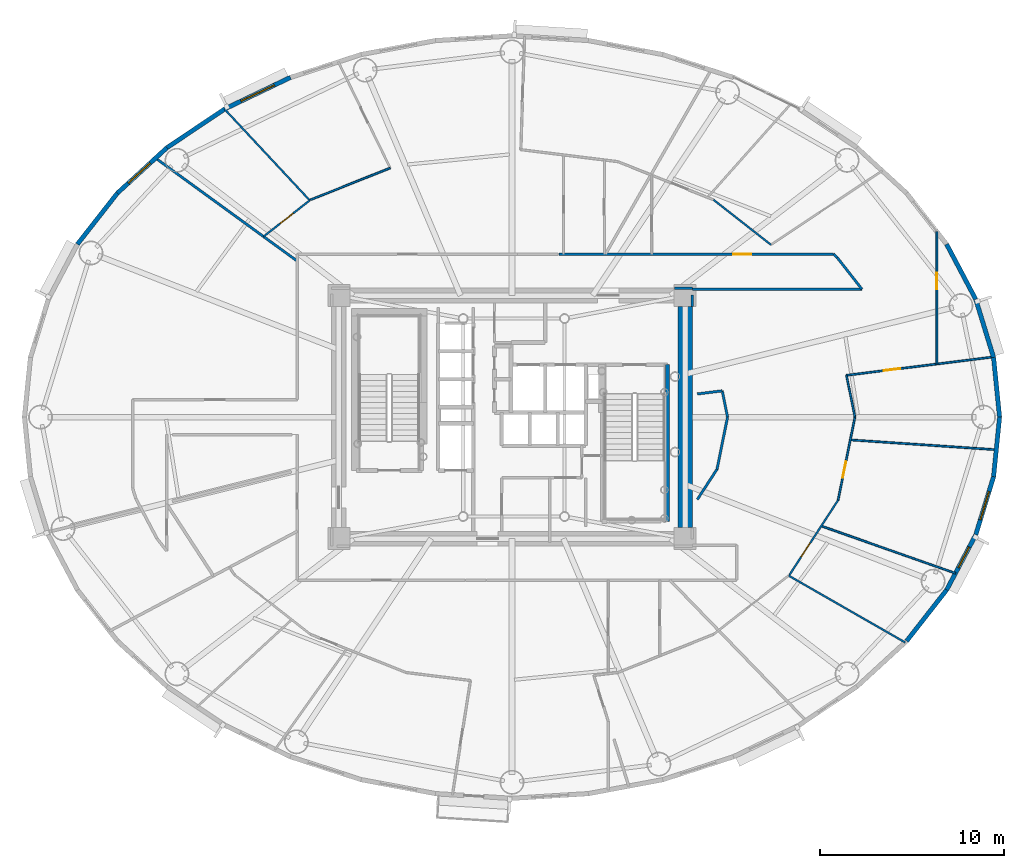
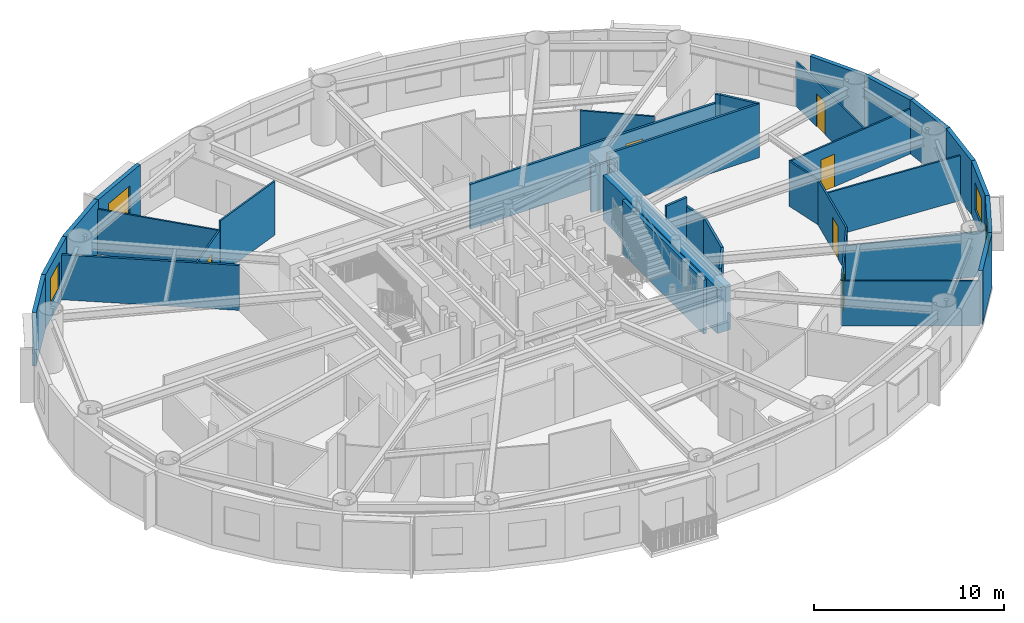
# One storey, part 9 of 17: 36 walls, 6 doors, 4 windows, 10 openings.
"""IFC4 building model written with IfcOpenShell, lengths in metres."""

from ifc_helpers import new_model, si_unit, direction, frame, frame_2d, origin, origin_2d, place, context, subcontext, project, spatial, rectangle, extrude, source, transform, mapped, material, layer, layer_set, type_object, element, fill, save


model = new_model("IFC4")

# Units and contexts
model_context = context("Model", 3, precision=1e-05, world=origin(), true_north=direction((0.0, 1.0)))
body_context = subcontext(model_context, "Body", "Model", "MODEL_VIEW")
ifc_project = project(units=[si_unit("LENGTHUNIT", "METRE"), si_unit("AREAUNIT", "SQUARE_METRE"), si_unit("VOLUMEUNIT", "CUBIC_METRE"), si_unit("PLANEANGLEUNIT", "RADIAN"), si_unit("MASSUNIT", "GRAM", prefix="KILO")], contexts=[model_context])

# Site, building, storey
site_placement = place(None, origin())
site = spatial("IfcSite", under=ifc_project, at=site_placement, CompositionType="ELEMENT")
building_placement = place(site_placement, origin())
building = spatial("IfcBuilding", under=site, at=building_placement, Name="Linh Dai School and Residence Tower", CompositionType="ELEMENT")
storey_placement = place(building_placement, frame((0.0, 0.0, 201.14990234375)))
storey = spatial("IfcBuildingStorey", under=building, at=storey_placement, Name="L49", CompositionType="ELEMENT", Elevation=201.14990234375)

# Walls
ifc_material_1 = material(Name="Precast Concrete B45 (C35/45)", Category="concrete")
ifc_layer_1 = layer(ifc_material_1, 0.239990234375)
ifc_layer_set_1 = layer_set([ifc_layer_1], Name="Precast Concrete B45 (C35/45)")
wall_type_1 = type_object("IfcWallType", Name="EW-TC-240", PredefinedType="SOLIDWALL", material=ifc_layer_set_1)
wall_1_placement = place(storey_placement, frame((62.14990234375, 30.233642578125, 0.0), z_axis=(0.0, 0.0, 1.0), x_axis=(0.100061534614, -0.994981250723, 0.0)))
element("IfcWall", 1, at=wall_1_placement, inside=storey, type_object=wall_type_1, Name="L49 Terracotta Exterior Wall 01", PredefinedType="SOLIDWALL", context=body_context, shape_type="SweptSolid", body=[
    extrude(rectangle(XDim=3.25, YDim=0.239990234375, at=frame_2d((1.625, 0.0))), origin(), (0.0, 0.0, 1.0), 3.4501953125),
])
wall_2_placement = place(storey_placement, frame((61.1826171875, 33.388916015625, 0.0), z_axis=(0.0, 0.0, 1.0), x_axis=(0.293097995113, -0.956082405058, 0.0)))
element("IfcWall", 2, at=wall_2_placement, inside=storey, type_object=wall_type_1, Name="L49 Terracotta Exterior Wall 02", PredefinedType="SOLIDWALL", context=body_context, shape_type="SweptSolid", body=[
    extrude(rectangle(XDim=3.30029296875, YDim=0.239990234375, at=frame_2d((1.650146484375, 0.0))), origin(), (0.0, 0.0, 1.0), 3.4501953125),
])
wall_3_placement = place(storey_placement, frame((59.595947265625, 36.388427734375, 0.0), z_axis=(0.0, 0.0, 1.0), x_axis=(0.467586874938, -0.88394712194, 0.0)))
element("IfcWall", 3, at=wall_3_placement, inside=storey, type_object=wall_type_1, Name="L49 Terracotta Exterior Wall 03", PredefinedType="SOLIDWALL", context=body_context, shape_type="SweptSolid", body=[
    extrude(rectangle(XDim=3.393310546875, YDim=0.239990234375, at=frame_2d((1.69677734375, 0.0))), origin(), (0.0, 0.0, 1.0), 3.4501953125),
])

# Wall, opening, window
wall_4_placement = place(storey_placement, frame((20.4267578125, 43.7431640625, 0.0), z_axis=(0.0, 0.0, 1.0), x_axis=(0.901564733809, 0.432644231155, 0.0)))
wall_4 = element("IfcWall", 4, at=wall_4_placement, inside=storey, type_object=wall_type_1, Name="L49 Terracotta Exterior Wall 14", PredefinedType="SOLIDWALL", context=body_context, shape_type="SweptSolid", body=[
    extrude(rectangle(XDim=3.930419921875, YDim=0.239990234375, at=frame_2d((1.96533203125, 0.0))), origin(), (0.0, 0.0, 1.0), 3.4501953125),
])
opening_1_placement = place(wall_4_placement, frame((0.960205078125, 0.0, 0.89990234375)))
opening_1 = element("IfcOpeningElement", 5, at=opening_1_placement, cuts=wall_4, Name="Opening W1", PredefinedType="OPENING", context=body_context, shape_type="SweptSolid", body=[
    extrude(rectangle(XDim=2.0, YDim=1.75, at=origin_2d()), frame((1.0, 0.1298828125, 0.875), z_axis=(0.0, -1.0, 0.0), x_axis=(1.0, 0.0, 0.0)), (0.0, 0.0, 1.0), 0.260009765625),
])
ifc_material_2 = material(Name="Double Low-E Insulated Glazing", Category="glass")
window_type_1 = type_object("IfcWindowType", Name="WN-RES-2000x1750", PartitioningType="DOUBLE_PANEL_VERTICAL", PredefinedType="WINDOW", material=ifc_material_2)
shared_shape_1 = source(origin(), body_context, "Body", "SweptSolid", [
    extrude(rectangle(XDim=2.0, YDim=1.75, at=origin_2d()), frame((1.0, 0.030029296875, 0.875), z_axis=(0.0, -1.0, 0.0), x_axis=(1.0, 0.0, 0.0)), (0.0, 0.0, 1.0), 0.06005859375),
])
window_1_placement = place(opening_1_placement, origin())
window_1 = element("IfcWindow", 6, at=window_1_placement, inside=storey, type_object=window_type_1, Name="L49 Exterior Window 14.1", OverallHeight=1.75, OverallWidth=2.0, PartitioningType="DOUBLE_PANEL_VERTICAL", PredefinedType="WINDOW", context=body_context, shape_type="MappedRepresentation", body=[
    mapped(shared_shape_1, transform((0.0, 0.0, 0.0), x_axis=(1.0, 0.0, 0.0), y_axis=(0.0, 1.0, 0.0), z_axis=(0.0, 0.0, 1.0), scale=1.0)),
])
fill(opening_1, window_1)

# Wall
wall_5_placement = place(storey_placement, frame((17.26806640625, 41.630615234375, 0.0), z_axis=(0.0, 0.0, 1.0), x_axis=(0.831228998277, 0.555930168657, 0.0)))
element("IfcWall", 7, at=wall_5_placement, inside=storey, type_object=wall_type_1, Name="L49 Terracotta Exterior Wall 15", PredefinedType="SOLIDWALL", context=body_context, shape_type="SweptSolid", body=[
    extrude(rectangle(XDim=3.800048828125, YDim=0.239990234375, at=frame_2d((1.89990234375, 0.0))), origin(), (0.0, 0.0, 1.0), 3.4501953125),
])

# Wall, opening, window
wall_6_placement = place(storey_placement, frame((14.57177734375, 39.158447265625, 0.0), z_axis=(0.0, 0.0, 1.0), x_axis=(0.737076565834, 0.675809245349, 0.0)))
wall_6 = element("IfcWall", 8, at=wall_6_placement, inside=storey, type_object=wall_type_1, Name="L49 Terracotta Exterior Wall 16", PredefinedType="SOLIDWALL", context=body_context, shape_type="SweptSolid", body=[
    extrude(rectangle(XDim=3.658203125, YDim=0.239990234375, at=frame_2d((1.8291015625, 0.0))), origin(), (0.0, 0.0, 1.0), 3.4501953125),
])
opening_2_placement = place(wall_6_placement, frame((0.815185546875, 0.0, 0.89990234375)))
opening_2 = element("IfcOpeningElement", 9, at=opening_2_placement, cuts=wall_6, Name="Opening W2", PredefinedType="OPENING", context=body_context, shape_type="SweptSolid", body=[
    extrude(rectangle(XDim=1.60009765625, YDim=1.75, at=origin_2d()), frame((0.800048828125, 0.1298828125, 0.875), z_axis=(0.0, -1.0, 0.0), x_axis=(1.0, 0.0, 0.0)), (0.0, 0.0, 1.0), 0.260009765625),
])
window_type_2 = type_object("IfcWindowType", Name="WN-RES-1600x1750", PartitioningType="DOUBLE_PANEL_VERTICAL", PredefinedType="WINDOW", material=ifc_material_2)
shared_shape_2 = source(origin(), body_context, "Body", "SweptSolid", [
    extrude(rectangle(XDim=1.60009765625, YDim=1.75, at=origin_2d()), frame((0.800048828125, 0.030029296875, 0.875), z_axis=(0.0, -1.0, 0.0), x_axis=(1.0, 0.0, 0.0)), (0.0, 0.0, 1.0), 0.06005859375),
])
window_2_placement = place(opening_2_placement, origin())
window_2 = element("IfcWindow", 10, at=window_2_placement, inside=storey, type_object=window_type_2, Name="L49 Exterior Window 16.1", OverallHeight=1.75, OverallWidth=1.60009765625, PartitioningType="DOUBLE_PANEL_VERTICAL", PredefinedType="WINDOW", context=body_context, shape_type="MappedRepresentation", body=[
    mapped(shared_shape_2, transform((0.0, 0.0, 0.0), x_axis=(1.0, 0.0, 0.0), y_axis=(0.0, 1.0, 0.0), z_axis=(0.0, 0.0, 1.0), scale=1.0)),
])
fill(opening_2, window_2)

# Walls
for number, where, z_axis, x_axis, name in (
    (11, (12.404052734375, 36.388427734375, 0.0), (0.0, 0.0, 1.0), (0.616287674549, 0.787521112224, 0.0), "L49 Terracotta Exterior Wall 17"),
    (12, (59.595947265625, 17.611572265625, 0.0), (0.0, 0.0, 1.0), (-0.616287674549, -0.787521112224, 0.0), "L49 Terracotta Exterior Wall 37"),
):
    element("IfcWall", number, at=place(storey_placement, frame(where, z_axis=z_axis, x_axis=x_axis)), inside=storey, type_object=wall_type_1, Name=name, PredefinedType="SOLIDWALL", context=body_context, shape_type="SweptSolid", body=[
        extrude(rectangle(XDim=3.517333984375, YDim=0.239990234375, at=frame_2d((1.7587890625, 0.0))), origin(), (0.0, 0.0, 1.0), 3.4501953125),
    ])

# Wall, opening, window
wall_7_placement = place(storey_placement, frame((61.1826171875, 20.611083984375, 0.0), z_axis=(0.0, 0.0, 1.0), x_axis=(-0.467586874938, -0.88394712194, 0.0)))
wall_7 = element("IfcWall", 13, at=wall_7_placement, inside=storey, type_object=wall_type_1, Name="L49 Terracotta Exterior Wall 38", PredefinedType="SOLIDWALL", context=body_context, shape_type="SweptSolid", body=[
    extrude(rectangle(XDim=3.393310546875, YDim=0.239990234375, at=frame_2d((1.69677734375, 0.0))), origin(), (0.0, 0.0, 1.0), 3.4501953125),
])
opening_3_placement = place(wall_7_placement, frame((0.761962890625, 0.0, 0.89990234375)))
opening_3 = element("IfcOpeningElement", 14, at=opening_3_placement, cuts=wall_7, Name="Opening W3", PredefinedType="OPENING", context=body_context, shape_type="SweptSolid", body=[
    extrude(rectangle(XDim=1.25, YDim=1.64990234375, at=origin_2d()), frame((0.625, 0.1298828125, 0.824951171875), z_axis=(0.0, -1.0, 0.0), x_axis=(1.0, 0.0, 0.0)), (0.0, 0.0, 1.0), 0.260009765625),
])
window_type_3 = type_object("IfcWindowType", Name="WN-RES-1250x1650", PartitioningType="SINGLE_PANEL", PredefinedType="WINDOW", material=ifc_material_2)
shared_shape_3 = source(origin(), body_context, "Body", "SweptSolid", [
    extrude(rectangle(XDim=1.25, YDim=1.64990234375, at=origin_2d()), frame((0.625, 0.030029296875, 0.824951171875), z_axis=(0.0, -1.0, 0.0), x_axis=(1.0, 0.0, 0.0)), (0.0, 0.0, 1.0), 0.06005859375),
])
window_3_placement = place(opening_3_placement, origin())
window_3 = element("IfcWindow", 15, at=window_3_placement, inside=storey, type_object=window_type_3, Name="L49 Exterior Window 38.1", OverallHeight=1.64990234375, OverallWidth=1.25, PartitioningType="SINGLE_PANEL", PredefinedType="WINDOW", context=body_context, shape_type="MappedRepresentation", body=[
    mapped(shared_shape_3, transform((0.0, 0.0, 0.0), x_axis=(1.0, 0.0, 0.0), y_axis=(0.0, 1.0, 0.0), z_axis=(0.0, 0.0, 1.0), scale=1.0)),
])
fill(opening_3, window_3)

wall_8_placement = place(storey_placement, frame((62.14990234375, 23.766357421875, 0.0), z_axis=(0.0, 0.0, 1.0), x_axis=(-0.293097995113, -0.956082405058, 0.0)))
wall_8 = element("IfcWall", 16, at=wall_8_placement, inside=storey, type_object=wall_type_1, Name="L49 Terracotta Exterior Wall 39", PredefinedType="SOLIDWALL", context=body_context, shape_type="SweptSolid", body=[
    extrude(rectangle(XDim=3.30029296875, YDim=0.239990234375, at=frame_2d((1.650146484375, 0.0))), origin(), (0.0, 0.0, 1.0), 3.4501953125),
])
opening_4_placement = place(wall_8_placement, frame((0.85009765625, 0.0, 0.89990234375)))
opening_4 = element("IfcOpeningElement", 17, at=opening_4_placement, cuts=wall_8, Name="Opening W2", PredefinedType="OPENING", context=body_context, shape_type="SweptSolid", body=[
    extrude(rectangle(XDim=1.60009765625, YDim=1.75, at=origin_2d()), frame((0.800048828125, 0.1298828125, 0.875), z_axis=(0.0, -1.0, 0.0), x_axis=(1.0, 0.0, 0.0)), (0.0, 0.0, 1.0), 0.260009765625),
])
window_4_placement = place(opening_4_placement, origin())
window_4 = element("IfcWindow", 18, at=window_4_placement, inside=storey, type_object=window_type_2, Name="L49 Exterior Window 39.1", OverallHeight=1.75, OverallWidth=1.60009765625, PartitioningType="DOUBLE_PANEL_VERTICAL", PredefinedType="WINDOW", context=body_context, shape_type="MappedRepresentation", body=[
    mapped(shared_shape_2, transform((0.0, 0.0, 0.0), x_axis=(1.0, 0.0, 0.0), y_axis=(0.0, 1.0, 0.0), z_axis=(0.0, 0.0, 1.0), scale=1.0)),
])
fill(opening_4, window_4)

# Walls
wall_9_placement = place(storey_placement, frame((62.47509765625, 27.0, 0.0), z_axis=(0.0, 0.0, 1.0), x_axis=(-0.100061534614, -0.994981250723, 0.0)))
element("IfcWall", 19, at=wall_9_placement, inside=storey, type_object=wall_type_1, Name="L49 Terracotta Exterior Wall 40", PredefinedType="SOLIDWALL", context=body_context, shape_type="SweptSolid", body=[
    extrude(rectangle(XDim=3.25, YDim=0.239990234375, at=frame_2d((1.625, 0.0))), origin(), (0.0, 0.0, 1.0), 3.4501953125),
])
ifc_material_3 = material(Name="Autoclaved Aerated Concrete Blockwork", Category="masonry")
ifc_layer_2 = layer(ifc_material_3, 0.135009765625)
ifc_layer_set_2 = layer_set([ifc_layer_2], Name="Autoclaved Aerated Concrete Blockwork")
wall_type_2 = type_object("IfcWallType", Name="IW-CORR-135-EI90", PredefinedType="PARTITIONING", material=ifc_layer_set_2)
wall_10_placement = place(storey_placement, frame((16.642578125, 41.06396484375, 0.0), z_axis=(0.0, 0.0, 1.0), x_axis=(0.809016355942, -0.587786131018, 0.0)))
element("IfcWall", 20, at=wall_10_placement, inside=storey, type_object=wall_type_2, Name="L49 Interior Partition Wall 007", PredefinedType="PARTITIONING", context=body_context, shape_type="SweptSolid", body=[
    extrude(rectangle(XDim=9.527099609375, YDim=0.135009765625, at=frame_2d((4.763671875, 0.0))), origin(), (0.0, 0.0, 1.0), 2.885009765625),
])

# Wall, opening, door
wall_11_placement = place(storey_placement, frame((38.541259765625, 35.85009765625, 0.0), z_axis=(0.0, 0.0, 1.0), x_axis=(1.0, 0.0, 0.0)))
wall_11 = element("IfcWall", 21, at=wall_11_placement, inside=storey, type_object=wall_type_2, Name="L49 Interior Partition Wall 058", PredefinedType="PARTITIONING", context=body_context, shape_type="SweptSolid", body=[
    extrude(rectangle(XDim=14.91259765625, YDim=0.135009765625, at=frame_2d((7.456298828125, 0.0))), origin(), (0.0, 0.0, 1.0), 2.885009765625),
])
opening_5_placement = place(wall_11_placement, frame((9.4599609375, 0.0, 0.0)))
opening_5 = element("IfcOpeningElement", 22, at=opening_5_placement, cuts=wall_11, Name="Opening D03", PredefinedType="OPENING", context=body_context, shape_type="SweptSolid", body=[
    extrude(rectangle(XDim=1.0, YDim=2.14990234375, at=origin_2d()), frame((0.5, 0.07763671875, 1.074951171875), z_axis=(0.0, -1.0, 0.0), x_axis=(1.0, 0.0, 0.0)), (0.0, 0.0, 1.0), 0.155029296875),
])
ifc_material_4 = material(Name="Fire-Rated Solid Timber Entrance Door", Category="wood")
door_type_1 = type_object("IfcDoorType", Name="DR-FLAT-1000x2150-FD60S", OperationType="NOTDEFINED", PredefinedType="DOOR", material=ifc_material_4)
shared_shape_4 = source(origin(), body_context, "Body", "SweptSolid", [
    extrude(rectangle(XDim=1.0, YDim=2.14990234375, at=origin_2d()), frame((0.5, 0.02490234375, 1.074951171875), z_axis=(0.0, -1.0, 0.0), x_axis=(1.0, 0.0, 0.0)), (0.0, 0.0, 1.0), 0.050048828125),
])
door_1_placement = place(opening_5_placement, origin())
door_1 = element("IfcDoor", 23, at=door_1_placement, inside=storey, type_object=door_type_1, Name="L49 U4902 Apartment Entrance Door", OperationType="SINGLE_SWING_RIGHT", OverallHeight=2.14990234375, OverallWidth=1.0, PredefinedType="DOOR", context=body_context, shape_type="MappedRepresentation", body=[
    mapped(shared_shape_4, transform((0.0, 0.0, 0.0), x_axis=(1.0, 0.0, 0.0), y_axis=(0.0, 1.0, 0.0), z_axis=(0.0, 0.0, 1.0), scale=1.0)),
])
fill(opening_5, door_1)

# Walls
wall_12_placement = place(storey_placement, frame((45.800048828125, 33.949951171875, 0.0), z_axis=(0.0, 0.0, 1.0), x_axis=(1.0, 0.0, 0.0)))
element("IfcWall", 24, at=wall_12_placement, inside=storey, type_object=wall_type_2, Name="L49 Interior Partition Wall 078", PredefinedType="PARTITIONING", context=body_context, shape_type="SweptSolid", body=[
    extrude(rectangle(XDim=9.197021484375, YDim=0.135009765625, at=frame_2d((4.5986328125, 0.0))), origin(), (0.0, 0.0, 1.0), 3.4501953125),
])
wall_13_placement = place(storey_placement, frame((53.453857421875, 35.85009765625, 0.0), z_axis=(0.0, 0.0, 1.0), x_axis=(0.736667385572, -0.676255249913, 0.0)))
element("IfcWall", 25, at=wall_13_placement, inside=storey, type_object=wall_type_2, Name="L49 Interior Partition Wall 087", PredefinedType="PARTITIONING", context=body_context, shape_type="SweptSolid", body=[
    extrude(rectangle(XDim=0.270751953125, YDim=0.135009765625, at=frame_2d((0.13525390625, 0.0))), origin(), (0.0, 0.0, 1.0), 3.4501953125),
])
wall_14_placement = place(storey_placement, frame((53.6533203125, 35.6669921875, 0.0), z_axis=(0.0, 0.0, 1.0), x_axis=(0.616302223209, -0.787509726713, 0.0)))
element("IfcWall", 26, at=wall_14_placement, inside=storey, type_object=wall_type_2, Name="L49 Interior Partition Wall 088", PredefinedType="PARTITIONING", context=body_context, shape_type="SweptSolid", body=[
    extrude(rectangle(XDim=2.180419921875, YDim=0.135009765625, at=frame_2d((1.09033203125, 0.0))), origin(), (0.0, 0.0, 1.0), 3.4501953125),
])
wall_15_placement = place(storey_placement, frame((45.7900390625, 34.0, 0.0), z_axis=(0.0, 0.0, 1.0), x_axis=(-1.0, 0.0, 0.0)))
element("IfcWall", 27, at=wall_15_placement, inside=storey, type_object=wall_type_2, Name="L49 Interior Partition Wall 101", PredefinedType="PARTITIONING", context=body_context, shape_type="SweptSolid", body=[
    extrude(rectangle(XDim=0.97998046875, YDim=0.135009765625, at=frame_2d((0.489990234375, 0.0))), origin(), (0.0, 0.0, 1.0), 2.885009765625),
])
wall_16_placement = place(storey_placement, frame((46.06005859375, 22.521484375, 0.0), z_axis=(0.0, 0.0, 1.0), x_axis=(0.545342221334, 0.838213494064, 0.0)))
element("IfcWall", 28, at=wall_16_placement, inside=storey, type_object=wall_type_2, Name="L49 Interior Partition Wall 113", PredefinedType="PARTITIONING", context=body_context, shape_type="SweptSolid", body=[
    extrude(rectangle(XDim=1.9638671875, YDim=0.135009765625, at=frame_2d((0.98193359375, 0.0))), origin(), (0.0, 0.0, 1.0), 2.885009765625),
])
wall_17_placement = place(storey_placement, frame((47.131103515625, 24.167724609375, 0.0), z_axis=(0.0, 0.0, 1.0), x_axis=(0.198292837027, 0.980142821625, 0.0)))
element("IfcWall", 29, at=wall_17_placement, inside=storey, type_object=wall_type_2, Name="L49 Interior Partition Wall 114", PredefinedType="PARTITIONING", context=body_context, shape_type="SweptSolid", body=[
    extrude(rectangle(XDim=2.8896484375, YDim=0.135009765625, at=frame_2d((1.44482421875, 0.0))), origin(), (0.0, 0.0, 1.0), 2.885009765625),
])
wall_18_placement = place(storey_placement, frame((47.7041015625, 27.0, 0.0), z_axis=(0.0, 0.0, 1.0), x_axis=(-0.198309620267, 0.980139426056, 0.0)))
element("IfcWall", 30, at=wall_18_placement, inside=storey, type_object=wall_type_2, Name="L49 Interior Partition Wall 115", PredefinedType="PARTITIONING", context=body_context, shape_type="SweptSolid", body=[
    extrude(rectangle(XDim=1.455078125, YDim=0.135009765625, at=frame_2d((0.7275390625, 0.0))), origin(), (0.0, 0.0, 1.0), 2.885009765625),
])
wall_19_placement = place(storey_placement, frame((47.41552734375, 28.42626953125, 0.0), z_axis=(0.0, 0.0, 1.0), x_axis=(-0.992277876714, -0.124034734589, 0.0)))
element("IfcWall", 31, at=wall_19_placement, inside=storey, type_object=wall_type_2, Name="L49 Interior Partition Wall 116", PredefinedType="PARTITIONING", context=body_context, shape_type="SweptSolid", body=[
    extrude(rectangle(XDim=1.365966796875, YDim=0.135009765625, at=frame_2d((0.68310546875, 0.0))), origin(), (0.0, 0.0, 1.0), 3.4501953125),
])
wall_20_placement = place(storey_placement, frame((45.800048828125, 33.010009765625, 0.0), z_axis=(0.0, 0.0, 1.0), x_axis=(0.0, 1.0, 0.0)))
element("IfcWall", 32, at=wall_20_placement, inside=storey, type_object=wall_type_2, Name="L49 Interior Partition Wall 117", PredefinedType="PARTITIONING", context=body_context, shape_type="SweptSolid", body=[
    extrude(rectangle(XDim=0.612548828125, YDim=0.135009765625, at=frame_2d((0.30615234375, 0.0))), origin(), (0.0, 0.0, 1.0), 3.4501953125),
])
ifc_material_5 = material(Name="Concrete B45 (C35/45)", Category="concrete")
ifc_layer_3 = layer(ifc_material_5, 0.199951171875)
ifc_layer_set_3 = layer_set([ifc_layer_3], Name="Concrete B45 (C35/45)")
wall_type_3 = type_object("IfcWallType", Name="IW-SHAFT-200-EI120", PredefinedType="PARTITIONING", material=ifc_layer_set_3)
wall_21_placement = place(storey_placement, frame((44.43994140625, 21.330078125, 0.0), z_axis=(0.0, 0.0, 1.0), x_axis=(0.0, 1.0, 0.0)))
element("IfcWall", 33, at=wall_21_placement, inside=storey, type_object=wall_type_3, Name="L49 Interior Partition Wall 075", PredefinedType="PARTITIONING", context=body_context, shape_type="SweptSolid", body=[
    extrude(rectangle(XDim=8.52001953125, YDim=0.199951171875, at=frame_2d((4.260009765625, 0.0))), origin(), (0.0, 0.0, 1.0), 3.4501953125),
])
ifc_material_6 = material(Name="Gypsum Plasterboard Acoustic Stud Partition", Category="masonry")
ifc_layer_4 = layer(ifc_material_6, 0.10009765625)
ifc_layer_set_4 = layer_set([ifc_layer_4], Name="Gypsum Plasterboard Acoustic Stud Partition")
wall_type_4 = type_object("IfcWallType", Name="IW-UNIT-100", PredefinedType="PARTITIONING", material=ifc_layer_set_4)
wall_22_placement = place(storey_placement, frame((20.39013671875, 43.724853515625, 0.0), z_axis=(0.0, 0.0, 1.0), x_axis=(0.682297728918, -0.73107442105, 0.0)))
element("IfcWall", 34, at=wall_22_placement, inside=storey, type_object=wall_type_4, Name="L49 Interior Partition Wall 013", PredefinedType="PARTITIONING", context=body_context, shape_type="SweptSolid", body=[
    extrude(rectangle(XDim=6.7822265625, YDim=0.10009765625, at=frame_2d((3.39111328125, 0.0))), origin(), (0.0, 0.0, 1.0), 2.885009765625),
])

# Wall, opening, door
wall_23_placement = place(storey_placement, frame((22.5087890625, 36.802001953125, 0.0), z_axis=(0.0, 0.0, 1.0), x_axis=(0.787322269852, 0.616541680177, 0.0)))
wall_23 = element("IfcWall", 35, at=wall_23_placement, inside=storey, type_object=wall_type_4, Name="L49 Interior Partition Wall 017", PredefinedType="PARTITIONING", context=body_context, shape_type="SweptSolid", body=[
    extrude(rectangle(XDim=3.1865234375, YDim=0.10009765625, at=frame_2d((1.59326171875, 0.0))), origin(), (0.0, 0.0, 1.0), 2.885009765625),
])
opening_6_placement = place(wall_23_placement, frame((1.143310546875, 0.0, 0.0)))
opening_6 = element("IfcOpeningElement", 36, at=opening_6_placement, cuts=wall_23, Name="Opening D05", PredefinedType="OPENING", context=body_context, shape_type="SweptSolid", body=[
    extrude(rectangle(XDim=0.89990234375, YDim=2.10009765625, at=origin_2d()), frame((0.449951171875, 0.06005859375, 1.050048828125), z_axis=(0.0, -1.0, 0.0), x_axis=(1.0, 0.0, 0.0)), (0.0, 0.0, 1.0), 0.1201171875),
])
ifc_material_7 = material(Name="Engineered Timber Internal Door", Category="wood")
door_type_2 = type_object("IfcDoorType", Name="DR-INT-900x2100", OperationType="NOTDEFINED", PredefinedType="DOOR", material=ifc_material_7)
shared_shape_5 = source(origin(), body_context, "Body", "SweptSolid", [
    extrude(rectangle(XDim=0.89990234375, YDim=2.10009765625, at=origin_2d()), frame((0.449951171875, 0.02490234375, 1.050048828125), z_axis=(0.0, -1.0, 0.0), x_axis=(1.0, 0.0, 0.0)), (0.0, 0.0, 1.0), 0.050048828125),
])
door_2_placement = place(opening_6_placement, origin())
door_2 = element("IfcDoor", 37, at=door_2_placement, inside=storey, type_object=door_type_2, Name="L49 Apartment U4903 Study Door", OperationType="SINGLE_SWING_RIGHT", OverallHeight=2.10009765625, OverallWidth=0.89990234375, PredefinedType="DOOR", context=body_context, shape_type="MappedRepresentation", body=[
    mapped(shared_shape_5, transform((0.0, 0.0, 0.0), x_axis=(1.0, 0.0, 0.0), y_axis=(0.0, 1.0, 0.0), z_axis=(0.0, 0.0, 1.0), scale=1.0)),
])
fill(opening_6, door_2)

# Walls
wall_24_placement = place(storey_placement, frame((25.055419921875, 38.79638671875, 0.0), z_axis=(0.0, 0.0, 1.0), x_axis=(0.928801214375, 0.370578337434, 0.0)))
element("IfcWall", 38, at=wall_24_placement, inside=storey, type_object=wall_type_4, Name="L49 Interior Partition Wall 024", PredefinedType="PARTITIONING", context=body_context, shape_type="SweptSolid", body=[
    extrude(rectangle(XDim=4.664306640625, YDim=0.10009765625, at=frame_2d((2.33203125, 0.0))), origin(), (0.0, 0.0, 1.0), 3.4501953125),
])
wall_25_placement = place(storey_placement, frame((46.944580078125, 38.79638671875, 0.0), z_axis=(0.0, 0.0, 1.0), x_axis=(0.787314896848, -0.616551095369, 0.0)))
element("IfcWall", 39, at=wall_25_placement, inside=storey, type_object=wall_type_4, Name="L49 Interior Partition Wall 081", PredefinedType="PARTITIONING", context=body_context, shape_type="SweptSolid", body=[
    extrude(rectangle(XDim=3.95751953125, YDim=0.10009765625, at=frame_2d((1.978759765625, 0.0))), origin(), (0.0, 0.0, 1.0), 2.885009765625),
])
wall_26_placement = place(storey_placement, frame((51.016845703125, 18.392578125, 0.0), z_axis=(0.0, 0.0, 1.0), x_axis=(0.867591997953, -0.497276708773, 0.0)))
element("IfcWall", 40, at=wall_26_placement, inside=storey, type_object=wall_type_4, Name="L49 Interior Partition Wall 084", PredefinedType="PARTITIONING", context=body_context, shape_type="SweptSolid", body=[
    extrude(rectangle(XDim=7.299560546875, YDim=0.10009765625, at=frame_2d((3.64990234375, 0.0))), origin(), (0.0, 0.0, 1.0), 2.885009765625),
])

# Wall, opening, door
wall_27_placement = place(storey_placement, frame((51.06396484375, 18.429443359375, 0.0), z_axis=(0.0, 0.0, 1.0), x_axis=(0.545382906853, 0.838187022634, 0.0)))
wall_27 = element("IfcWall", 41, at=wall_27_placement, inside=storey, type_object=wall_type_4, Name="L49 Interior Partition Wall 085", PredefinedType="PARTITIONING", context=body_context, shape_type="SweptSolid", body=[
    extrude(rectangle(XDim=4.849365234375, YDim=0.10009765625, at=frame_2d((2.4248046875, 0.0))), origin(), (0.0, 0.0, 1.0), 2.885009765625),
])
opening_7_placement = place(wall_27_placement, frame((1.155029296875, 0.0, 0.0)))
opening_7 = element("IfcOpeningElement", 42, at=opening_7_placement, cuts=wall_27, Name="Opening D05", PredefinedType="OPENING", context=body_context, shape_type="SweptSolid", body=[
    extrude(rectangle(XDim=0.89990234375, YDim=2.10009765625, at=origin_2d()), frame((0.449951171875, 0.06005859375, 1.050048828125), z_axis=(0.0, -1.0, 0.0), x_axis=(1.0, 0.0, 0.0)), (0.0, 0.0, 1.0), 0.1201171875),
])
door_3_placement = place(opening_7_placement, origin())
door_3 = element("IfcDoor", 43, at=door_3_placement, inside=storey, type_object=door_type_2, Name="L49 Apartment U4902 Study Door", OperationType="SINGLE_SWING_RIGHT", OverallHeight=2.10009765625, OverallWidth=0.89990234375, PredefinedType="DOOR", context=body_context, shape_type="MappedRepresentation", body=[
    mapped(shared_shape_5, transform((0.0, 0.0, 0.0), x_axis=(1.0, 0.0, 0.0), y_axis=(0.0, 1.0, 0.0), z_axis=(0.0, 0.0, 1.0), scale=1.0)),
])
fill(opening_7, door_3)

# Wall
wall_28_placement = place(storey_placement, frame((52.792724609375, 21.086669921875, 0.0), z_axis=(0.0, 0.0, 1.0), x_axis=(0.94322572083, -0.33215243423, 0.0)))
element("IfcWall", 44, at=wall_28_placement, inside=storey, type_object=wall_type_4, Name="L49 Interior Partition Wall 086", PredefinedType="PARTITIONING", context=body_context, shape_type="SweptSolid", body=[
    extrude(rectangle(XDim=7.72802734375, YDim=0.10009765625, at=frame_2d((3.864013671875, 0.0))), origin(), (0.0, 0.0, 1.0), 2.885009765625),
])

# Wall, opening, door
wall_29_placement = place(storey_placement, frame((53.708740234375, 22.494140625, 0.0), z_axis=(0.0, 0.0, 1.0), x_axis=(0.19825018224, 0.980151450155, 0.0)))
wall_29 = element("IfcWall", 45, at=wall_29_placement, inside=storey, type_object=wall_type_4, Name="L49 Interior Partition Wall 089", PredefinedType="PARTITIONING", context=body_context, shape_type="SweptSolid", body=[
    extrude(rectangle(XDim=4.59716796875, YDim=0.10009765625, at=frame_2d((2.298583984375, 0.0))), origin(), (0.0, 0.0, 1.0), 2.885009765625),
])
opening_8_placement = place(wall_29_placement, frame((1.236572265625, 0.0, 0.0)))
opening_8 = element("IfcOpeningElement", 46, at=opening_8_placement, cuts=wall_29, Name="Opening D05", PredefinedType="OPENING", context=body_context, shape_type="SweptSolid", body=[
    extrude(rectangle(XDim=0.89990234375, YDim=2.10009765625, at=origin_2d()), frame((0.449951171875, 0.06005859375, 1.050048828125), z_axis=(0.0, -1.0, 0.0), x_axis=(1.0, 0.0, 0.0)), (0.0, 0.0, 1.0), 0.1201171875),
])
door_4_placement = place(opening_8_placement, origin())
door_4 = element("IfcDoor", 47, at=door_4_placement, inside=storey, type_object=door_type_2, Name="L49 Apartment U4902 Principal Bedroom 2 Door", OperationType="SINGLE_SWING_LEFT", OverallHeight=2.10009765625, OverallWidth=0.89990234375, PredefinedType="DOOR", context=body_context, shape_type="MappedRepresentation", body=[
    mapped(shared_shape_5, transform((0.0, 0.0, 0.0), x_axis=(1.0, 0.0, 0.0), y_axis=(0.0, 1.0, 0.0), z_axis=(0.0, 0.0, 1.0), scale=1.0)),
])
fill(opening_8, door_4)

# Wall
wall_30_placement = place(storey_placement, frame((54.1611328125, 29.26904296875, 0.0), z_axis=(0.0, 0.0, 1.0), x_axis=(0.198265432228, -0.980148365495, 0.0)))
element("IfcWall", 48, at=wall_30_placement, inside=storey, type_object=wall_type_4, Name="L49 Interior Partition Wall 090", PredefinedType="PARTITIONING", context=body_context, shape_type="SweptSolid", body=[
    extrude(rectangle(XDim=2.31494140625, YDim=0.10009765625, at=frame_2d((1.157470703125, 0.0))), origin(), (0.0, 0.0, 1.0), 2.885009765625),
])

# Wall, opening, door
wall_31_placement = place(storey_placement, frame((54.1611328125, 29.26904296875, 0.0), z_axis=(0.0, 0.0, 1.0), x_axis=(0.99228860955, 0.123948841697, 0.0)))
wall_31 = element("IfcWall", 49, at=wall_31_placement, inside=storey, type_object=wall_type_4, Name="L49 Interior Partition Wall 091", PredefinedType="PARTITIONING", context=body_context, shape_type="SweptSolid", body=[
    extrude(rectangle(XDim=8.046142578125, YDim=0.10009765625, at=frame_2d((4.02294921875, 0.0))), origin(), (0.0, 0.0, 1.0), 2.885009765625),
])
opening_9_placement = place(wall_31_placement, frame((2.0419921875, 0.0, 0.0)))
opening_9 = element("IfcOpeningElement", 50, at=opening_9_placement, cuts=wall_31, Name="Opening D05", PredefinedType="OPENING", context=body_context, shape_type="SweptSolid", body=[
    extrude(rectangle(XDim=0.89990234375, YDim=2.10009765625, at=origin_2d()), frame((0.449951171875, 0.06005859375, 1.050048828125), z_axis=(0.0, -1.0, 0.0), x_axis=(1.0, 0.0, 0.0)), (0.0, 0.0, 1.0), 0.1201171875),
])
door_5_placement = place(opening_9_placement, origin())
door_5 = element("IfcDoor", 51, at=door_5_placement, inside=storey, type_object=door_type_2, Name="L49 Apartment U4902 Study Door", OperationType="SINGLE_SWING_RIGHT", OverallHeight=2.10009765625, OverallWidth=0.89990234375, PredefinedType="DOOR", context=body_context, shape_type="MappedRepresentation", body=[
    mapped(shared_shape_5, transform((0.0, 0.0, 0.0), x_axis=(1.0, 0.0, 0.0), y_axis=(0.0, 1.0, 0.0), z_axis=(0.0, 0.0, 1.0), scale=1.0)),
])
fill(opening_9, door_5)

# Wall
wall_32_placement = place(storey_placement, frame((54.369384765625, 25.76123046875, 0.0), z_axis=(0.0, 0.0, 1.0), x_axis=(0.99773610993, -0.06725068729, 0.0)))
element("IfcWall", 52, at=wall_32_placement, inside=storey, type_object=wall_type_4, Name="L49 Interior Partition Wall 092", PredefinedType="PARTITIONING", context=body_context, shape_type="SweptSolid", body=[
    extrude(rectangle(XDim=7.950439453125, YDim=0.10009765625, at=frame_2d((3.97509765625, 0.0))), origin(), (0.0, 0.0, 1.0), 2.885009765625),
])

# Wall, opening, door
wall_33_placement = place(storey_placement, frame((59.066650390625, 29.8818359375, 0.0), z_axis=(0.0, 0.0, 1.0), x_axis=(0.0, 1.0, 0.0)))
wall_33 = element("IfcWall", 53, at=wall_33_placement, inside=storey, type_object=wall_type_4, Name="L49 Interior Partition Wall 093", PredefinedType="PARTITIONING", context=body_context, shape_type="SweptSolid", body=[
    extrude(rectangle(XDim=7.191162109375, YDim=0.10009765625, at=frame_2d((3.595703125, 0.0))), origin(), (0.0, 0.0, 1.0), 2.885009765625),
])
opening_10_placement = place(wall_33_placement, frame((4.05322265625, 0.0, 0.0)))
opening_10 = element("IfcOpeningElement", 54, at=opening_10_placement, cuts=wall_33, Name="Opening D05", PredefinedType="OPENING", context=body_context, shape_type="SweptSolid", body=[
    extrude(rectangle(XDim=0.89990234375, YDim=2.10009765625, at=origin_2d()), frame((0.449951171875, 0.06005859375, 1.050048828125), z_axis=(0.0, -1.0, 0.0), x_axis=(1.0, 0.0, 0.0)), (0.0, 0.0, 1.0), 0.1201171875),
])
door_6_placement = place(opening_10_placement, origin())
door_6 = element("IfcDoor", 55, at=door_6_placement, inside=storey, type_object=door_type_2, Name="L49 Apartment U4902 Kitchen Door", OperationType="SINGLE_SWING_RIGHT", OverallHeight=2.10009765625, OverallWidth=0.89990234375, PredefinedType="DOOR", context=body_context, shape_type="MappedRepresentation", body=[
    mapped(shared_shape_5, transform((0.0, 0.0, 0.0), x_axis=(1.0, 0.0, 0.0), y_axis=(0.0, 1.0, 0.0), z_axis=(0.0, 0.0, 1.0), scale=1.0)),
])
fill(opening_10, door_6)

# Wall
ifc_material_8 = material(Name="Concrete B60 (C50/60)", Category="concrete")
ifc_layer_5 = layer(ifc_material_8, 0.800048828125)
ifc_layer_set_5 = layer_set([ifc_layer_5], Name="Concrete B60 (C50/60)")
wall_type_5 = type_object("IfcWallType", Name="WL-CORE800", PredefinedType="SHEAR", material=ifc_layer_set_5)
wall_34_placement = place(storey_placement, frame((45.39990234375, 33.0, 0.0), z_axis=(0.0, 0.0, 1.0), x_axis=(0.0, -1.0, 0.0)))
element("IfcWall", 56, at=wall_34_placement, inside=storey, type_object=wall_type_5, Name="L49 Central Core Shear Wall E", PredefinedType="SHEAR", context=body_context, shape_type="SweptSolid", body=[
    extrude(rectangle(XDim=12.0, YDim=0.800048828125, at=frame_2d((6.0, 0.0))), origin(), (0.0, 0.0, 1.0), 2.900146484375),
])

save(model, "model.ifc")
